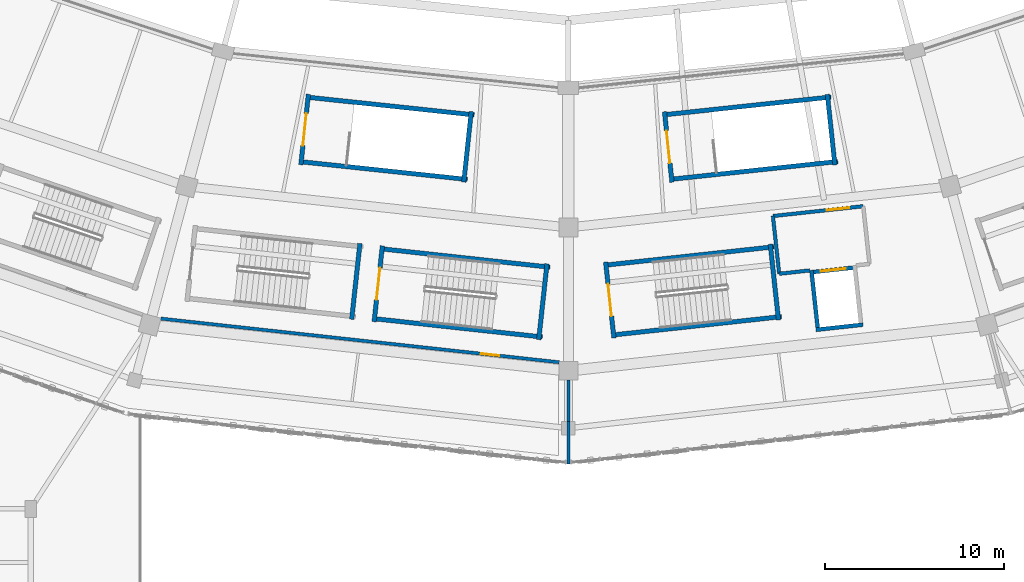
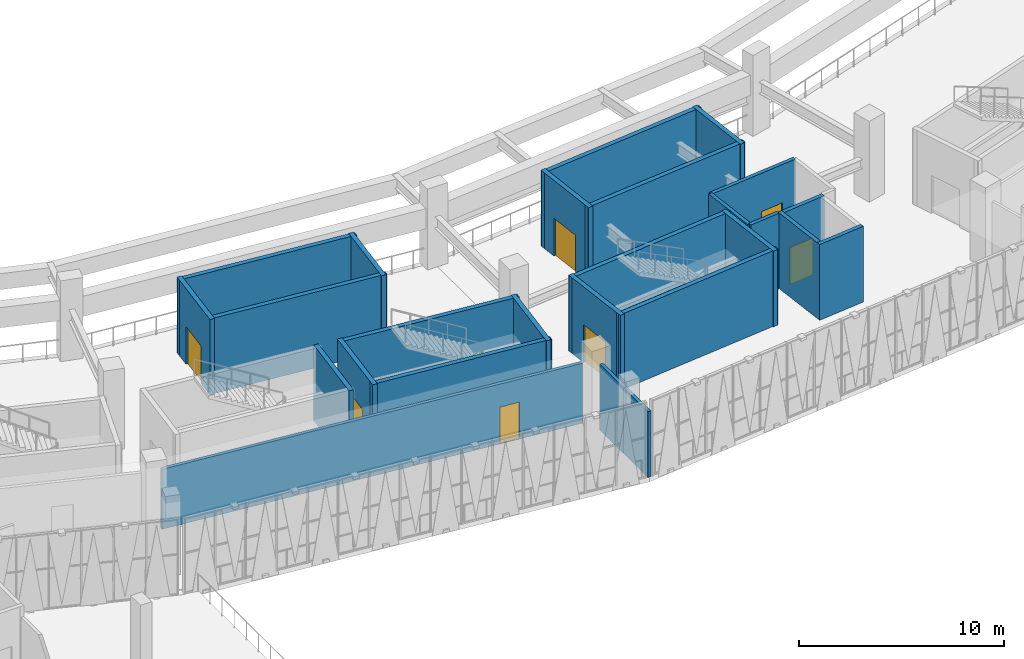
# One storey, part 99 of 179: 26 walls, 7 doors, 7 openings.
"""IFC4 building model written with IfcOpenShell, lengths in metres."""

import ifcopenshell
import ifcopenshell.guid

model = None  # the IFC model being written
_history = None  # IfcOwnerHistory: only IFC2X3 demands one
_inside = {}  # id of a spatial element -> (the spatial element, [elements in it])
_under = {}  # id of a project, library or spatial element -> (it, [spatial elements below it])
_declared = {}  # id of a project -> (the project, [libraries it declares])
_typed = {}  # id of a type object -> (the type object, [elements of that type])
_made_of = {}  # id of a material, layer set ... -> (it, [elements and type objects made of it])


def new_model(schema):
    """Start an empty IFC model of exactly this schema.

    Asked for "IFC4X3", IfcOpenShell would pick the latest addendum, in which some entities
    have other attributes; the version numbers below select the first issue.
    IFC2X3 requires an IfcOwnerHistory on every rooted entity: one is made here for all.
    """
    global model, _history
    if schema == "IFC4X3":
        model = ifcopenshell.file(schema_version=(4, 3, 0, 0))
    else:
        model = ifcopenshell.file(schema=schema)
    _inside.clear()
    _under.clear()
    _declared.clear()
    _typed.clear()
    _made_of.clear()
    _history = None
    if model.schema == "IFC2X3":
        org = make("IfcOrganization", Name="unknown")
        user = make(
            "IfcPersonAndOrganization",
            ThePerson=make("IfcPerson", FamilyName="unknown"),
            TheOrganization=org,
        )
        app = make(
            "IfcApplication",
            ApplicationDeveloper=org,
            Version="unknown",
            ApplicationFullName="unknown",
            ApplicationIdentifier="unknown",
        )
        _history = make(
            "IfcOwnerHistory",
            OwningUser=user,
            OwningApplication=app,
            ChangeAction="ADDED",
            CreationDate=0,
        )
    return model


def make(cls, **values):
    """One entity of the class cls with the attributes given. An attribute that is None is left unset."""
    return model.create_entity(
        cls, **{name: value for name, value in values.items() if value is not None}
    )


def rooted(cls, **values):
    """An entity with a GlobalId (a new one), such as an element, a storey or a relation."""
    return make(cls, GlobalId=ifcopenshell.guid.new(), OwnerHistory=_history, **values)


def si_unit(unit_type, name, prefix=None):
    """IfcSIUnit, for example si_unit("LENGTHUNIT", "METRE", prefix="MILLI")."""
    return make("IfcSIUnit", UnitType=unit_type, Prefix=prefix, Name=name)


def assignment(units):
    """IfcUnitAssignment: the units of a project."""
    return None if units is None else make("IfcUnitAssignment", Units=units)


def point(xyz):
    """IfcCartesianPoint."""
    return None if xyz is None else make("IfcCartesianPoint", Coordinates=xyz)


def direction(xyz):
    """IfcDirection."""
    return None if xyz is None else make("IfcDirection", DirectionRatios=xyz)


def frame(location, z_axis=None, x_axis=None):
    """IfcAxis2Placement3D, a coordinate frame: its origin and axes. An axis left out is left unset."""
    return make(
        "IfcAxis2Placement3D",
        Location=point(location),
        Axis=direction(z_axis),
        RefDirection=direction(x_axis),
    )


def frame_2d(location, x_axis=None):
    """IfcAxis2Placement2D, a coordinate frame in the plane: its origin and x axis."""
    return make(
        "IfcAxis2Placement2D", Location=point(location), RefDirection=direction(x_axis)
    )


def origin():
    """The frame at (0, 0, 0) with its axes left unset."""
    return frame((0.0, 0.0, 0.0))


def place(relative_to, where):
    """IfcLocalPlacement: puts the frame where relative to a parent placement (None: the world)."""
    return make(
        "IfcLocalPlacement", PlacementRelTo=relative_to, RelativePlacement=where
    )


def context(
    kind, dimensions, precision=None, world=None, true_north=None, identifier=None
):
    """IfcGeometricRepresentationContext, for example the 3D "Model" context."""
    return make(
        "IfcGeometricRepresentationContext",
        ContextIdentifier=identifier,
        ContextType=kind,
        CoordinateSpaceDimension=dimensions,
        Precision=precision,
        WorldCoordinateSystem=world,
        TrueNorth=true_north,
    )


def subcontext(parent, identifier, kind, view, scale=None):
    """IfcGeometricRepresentationSubContext, for example "Body" below "Model"."""
    return make(
        "IfcGeometricRepresentationSubContext",
        ContextIdentifier=identifier,
        ContextType=kind,
        ParentContext=parent,
        TargetScale=scale,
        TargetView=view,
    )


def project(units=None, contexts=None):
    """IfcProject with its units and contexts."""
    return rooted(
        "IfcProject",
        Name="project",
        RepresentationContexts=contexts,
        UnitsInContext=assignment(units),
    )


def spatial(cls, under=None, at=None, **own):
    """A site, building, storey or space (cls), placed at a placement, below another one or the project."""
    s = rooted(cls, ObjectPlacement=at, **own)
    if under is not None:
        _under.setdefault(under.id(), (under, []))[1].append(s)
    return s


def profile(cls, at=None, kind="AREA", **sizes):
    """A parametric profile (cls). Its sizes go by their IFC names, for example OverallWidth=200.0."""
    return make(cls, ProfileType=kind, Position=at, **sizes)


def rectangle(**sizes):
    """IfcRectangleProfileDef."""
    return profile("IfcRectangleProfileDef", **sizes)


def extrude(swept, where, along, depth):
    """IfcExtrudedAreaSolid: the profile swept, set in the frame where, extruded along a direction by depth."""
    return make(
        "IfcExtrudedAreaSolid",
        SweptArea=swept,
        Position=where,
        ExtrudedDirection=direction(along),
        Depth=depth,
    )


def shape(context_of_items, identifier, shape_type, items):
    """IfcShapeRepresentation: the items that make up one representation, for example the "Body"."""
    return make(
        "IfcShapeRepresentation",
        ContextOfItems=context_of_items,
        RepresentationIdentifier=identifier,
        RepresentationType=shape_type,
        Items=items,
    )


def material(Name=None, Category=None):
    """IfcMaterial."""
    return make("IfcMaterial", Name=Name, Category=Category)


def layer(
    of_material, thickness, ventilated=None, Name=None, Category=None, Priority=None
):
    """IfcMaterialLayer: one layer of a wall or slab, of a material (None: an air gap)."""
    return make(
        "IfcMaterialLayer",
        Material=of_material,
        LayerThickness=thickness,
        IsVentilated=ventilated,
        Name=Name,
        Category=Category,
        Priority=Priority,
    )


def layer_set(layers, Name=None):
    """IfcMaterialLayerSet."""
    return make("IfcMaterialLayerSet", MaterialLayers=layers, LayerSetName=Name)


def made_of(thing, what):
    """Note that an element or type object is made of a material, layer set ...; save() writes the relation."""
    if what is not None:
        _made_of.setdefault(what.id(), (what, []))[1].append(thing)
    return thing


def type_object(cls, material=None, **own):
    """A type object (cls), such as IfcWallType, which elements share."""
    return made_of(rooted(cls, **own), material)


def element(
    cls,
    number,
    at=None,
    inside=None,
    cuts=None,
    type_object=None,
    material=None,
    context=None,
    identifier="Body",
    shape_type=None,
    held_by="IfcProductDefinitionShape",
    body=None,
    shapes=None,
    **own,
):
    """One element of the class cls, such as IfcWall. Its Tag is "e" and its number.

    at: its placement. inside: the storey or other place that contains it. cuts: it is an
    opening in that element (IfcRelVoidsElement). A single representation is given by context,
    identifier, shape_type and body (its items); several are given by shapes. held_by: the class
    of the entity that holds the representations. save() writes the other relations.
    """
    e = rooted(cls, Tag="e%d" % number, ObjectPlacement=at, **own)
    if body is not None:
        shapes = [shape(context, identifier, shape_type, body)]
    if shapes is not None:
        e.Representation = make(held_by, Representations=shapes)
    if inside is not None:
        _inside.setdefault(inside.id(), (inside, []))[1].append(e)
    if cuts is not None:
        rooted(
            "IfcRelVoidsElement", RelatingBuildingElement=cuts, RelatedOpeningElement=e
        )
    if type_object is not None:
        _typed.setdefault(type_object.id(), (type_object, []))[1].append(e)
    return made_of(e, material)


def fill(opening, filler):
    """IfcRelFillsElement: the door or window that sits in an opening."""
    return rooted(
        "IfcRelFillsElement",
        RelatingOpeningElement=opening,
        RelatedBuildingElement=filler,
    )


def aggregate(whole, parts):
    """IfcRelAggregates: a whole, such as a stair, and the parts it consists of."""
    return rooted("IfcRelAggregates", RelatingObject=whole, RelatedObjects=parts)


def save(model, path):
    """Write the relations noted so far, then the file.

    IfcRelAggregates (storeys below a building ...), IfcRelContainedInSpatialStructure (elements
    in a storey), IfcRelDefinesByType, IfcRelAssociatesMaterial and IfcRelDeclares: one each for
    every whole, place, type object, material and project.
    """
    for whole, parts in _under.values():
        aggregate(whole, parts)
    for where, things in _inside.values():
        rooted(
            "IfcRelContainedInSpatialStructure",
            RelatedElements=things,
            RelatingStructure=where,
        )
    for kind, things in _typed.values():
        rooted("IfcRelDefinesByType", RelatedObjects=things, RelatingType=kind)
    for what, things in _made_of.values():
        rooted("IfcRelAssociatesMaterial", RelatedObjects=things, RelatingMaterial=what)
    for by, libraries in _declared.values():
        rooted("IfcRelDeclares", RelatingContext=by, RelatedDefinitions=libraries)
    model.write(path)


model = new_model("IFC4")

# Units and contexts
model_context = context("Model", 3, precision=1e-05, world=origin(), true_north=direction((0.0, 1.0)))
body_context = subcontext(model_context, "Body", "Model", "MODEL_VIEW")
ifc_project = project(units=[si_unit("LENGTHUNIT", "METRE"), si_unit("AREAUNIT", "SQUARE_METRE"), si_unit("VOLUMEUNIT", "CUBIC_METRE"), si_unit("PLANEANGLEUNIT", "RADIAN"), si_unit("MASSUNIT", "GRAM", prefix="KILO")], contexts=[model_context])

# Site, building, storey
site_placement = place(None, origin())
site = spatial("IfcSite", under=ifc_project, at=site_placement, CompositionType="ELEMENT")
building_placement = place(site_placement, origin())
building = spatial("IfcBuilding", under=site, at=building_placement, Name="Zevraka Park Crest Stadium", CompositionType="ELEMENT")
storey_placement = place(building_placement, frame((0.0, 0.0, 10.199951171875)))
storey = spatial("IfcBuildingStorey", under=building, at=storey_placement, Name="L02", CompositionType="ELEMENT", Elevation=10.199951171875)

# Walls
ifc_material_1 = material(Name="Autoclaved aerated masonry blockwork", Category="masonry")
ifc_layer_1 = layer(ifc_material_1, 0.199951171875)
ifc_layer_set_1 = layer_set([ifc_layer_1], Name="Autoclaved aerated masonry blockwork")
wall_type_1 = type_object("IfcWallType", Name="IW01", PredefinedType="PARTITIONING", material=ifc_layer_set_1)
wall_1_placement = place(storey_placement, frame((125.47509765625, 22.302001953125, 0.0), z_axis=(0.0, 0.0, 1.0), x_axis=(-0.994135511072, -0.108141507414, 0.0)))
element("IfcWall", 1, at=wall_1_placement, inside=storey, type_object=wall_type_1, Name="Firefighting Lift Lobby Wall IW01 FL04 L02 BACKR", PredefinedType="PARTITIONING", context=body_context, shape_type="SweptSolid", body=[
    extrude(rectangle(XDim=1.72021484375, YDim=0.199951171875, at=frame_2d((0.860107421875, 0.0))), origin(), (0.0, 0.0, 1.0), 4.47998046875),
])
wall_2_placement = place(storey_placement, frame((123.764892578125, 22.115966796875, 0.0), z_axis=(0.0, 0.0, 1.0), x_axis=(-0.108280975823, 0.994120329877, 0.0)))
element("IfcWall", 2, at=wall_2_placement, inside=storey, type_object=wall_type_1, Name="Firefighting Lift Lobby Wall IW01 FL04 L02 RIGHT", PredefinedType="PARTITIONING", context=body_context, shape_type="SweptSolid", body=[
    extrude(rectangle(XDim=3.239990234375, YDim=0.199951171875, at=frame_2d((1.6201171875, 0.0))), origin(), (0.0, 0.0, 1.0), 4.47998046875),
])

# Wall, opening, door
wall_3_placement = place(storey_placement, frame((128.4541015625, 25.885986328125, 0.0), z_axis=(0.0, 0.0, 1.0), x_axis=(-0.994118117986, -0.108301281116, 0.0)))
wall_3 = element("IfcWall", 3, at=wall_3_placement, inside=storey, type_object=wall_type_1, Name="Firefighting Lift Lobby Wall IW01 FL04 L02 FRONT", PredefinedType="PARTITIONING", context=body_context, shape_type="SweptSolid", body=[
    extrude(rectangle(XDim=5.06982421875, YDim=0.199951171875, at=frame_2d((2.534912109375, 0.0))), origin(), (0.0, 0.0, 1.0), 4.47998046875),
])
opening_1_placement = place(wall_3_placement, frame((0.794921875, 0.0, 0.0)))
opening_1 = element("IfcOpeningElement", 4, at=opening_1_placement, cuts=wall_3, Name="Opening D-L02-321", PredefinedType="OPENING", context=body_context, shape_type="SweptSolid", body=[
    extrude(rectangle(XDim=1.25, YDim=2.199951171875, at=frame_2d((0.625, 1.10009765625))), frame((0.0, 0.10986328125, 0.0), z_axis=(0.0, -1.0, 0.0), x_axis=(1.0, 0.0, 0.0)), (0.0, 0.0, 1.0), 0.219970703125),
])
ifc_material_2 = material(Name="Solid-core hardwood timber leaf in steel frame", Category="steel")
door_type_1 = type_object("IfcDoorType", Name="DR07", OperationType="NOTDEFINED", PredefinedType="DOOR", material=ifc_material_2)
door_1_placement = place(opening_1_placement, origin())
door_1 = element("IfcDoor", 5, at=door_1_placement, inside=storey, type_object=door_type_1, Name="Firefighting Lift Lobby FL04 Door D-L02-321", OperationType="SINGLE_SWING_LEFT", OverallHeight=2.199951171875, OverallWidth=1.25, PredefinedType="DOOR", context=body_context, shape_type="SweptSolid", body=[
    extrude(rectangle(XDim=1.25, YDim=2.199951171875, at=frame_2d((0.625, 1.10009765625))), frame((0.0, 0.02490234375, 0.0), z_axis=(0.0, -1.0, 0.0), x_axis=(1.0, 0.0, 0.0)), (0.0, 0.0, 1.0), 0.050048828125),
])
fill(opening_1, door_1)

ifc_material_3 = material(Name="Fire-rated twin-stud acoustic drywall", Category="other")
ifc_layer_2 = layer(ifc_material_3, 0.179931640625)
ifc_layer_set_2 = layer_set([ifc_layer_2], Name="Fire-rated twin-stud acoustic drywall")
wall_type_2 = type_object("IfcWallType", Name="IW06", PredefinedType="PARTITIONING", material=ifc_layer_set_2)
wall_4_placement = place(storey_placement, frame((89.25, 19.614990234375, 0.0), z_axis=(0.0, 0.0, 1.0), x_axis=(0.994040414926, -0.109012171306, 0.0)))
wall_4 = element("IfcWall", 6, at=wall_4_placement, inside=storey, type_object=wall_type_2, Name="Interior Partition IW06 West Club Members Lounge L02", PredefinedType="PARTITIONING", context=body_context, shape_type="SweptSolid", body=[
    extrude(rectangle(XDim=22.373291015625, YDim=0.179931640625, at=frame_2d((11.1865234375, 0.0))), origin(), (0.0, 0.0, 1.0), 3.56494140625),
])
opening_2_placement = place(wall_4_placement, frame((17.98193359375, 0.0, 0.0)))
opening_2 = element("IfcOpeningElement", 7, at=opening_2_placement, cuts=wall_4, Name="Opening D-L02-412", PredefinedType="OPENING", context=body_context, shape_type="SweptSolid", body=[
    extrude(rectangle(XDim=1.02001953125, YDim=2.199951171875, at=frame_2d((0.510009765625, 1.10009765625))), frame((0.0, 0.099853515625, 0.0), z_axis=(0.0, -1.0, 0.0), x_axis=(1.0, 0.0, 0.0)), (0.0, 0.0, 1.0), 0.199951171875),
])
ifc_material_4 = material(Name="Solid-core hardwood timber leaf in steel frame", Category="steel")
door_type_2 = type_object("IfcDoorType", Name="DR21", OperationType="NOTDEFINED", PredefinedType="DOOR", material=ifc_material_4)
door_2_placement = place(opening_2_placement, origin())
door_2 = element("IfcDoor", 8, at=door_2_placement, inside=storey, type_object=door_type_2, Name="West Club Members Lounge Door D-L02-412", OperationType="SINGLE_SWING_RIGHT", OverallHeight=2.199951171875, OverallWidth=1.02001953125, PredefinedType="DOOR", context=body_context, shape_type="SweptSolid", body=[
    extrude(rectangle(XDim=1.02001953125, YDim=2.199951171875, at=frame_2d((0.510009765625, 1.10009765625))), frame((0.0, 0.02490234375, 0.0), z_axis=(0.0, -1.0, 0.0), x_axis=(1.0, 0.0, 0.0)), (0.0, 0.0, 1.0), 0.050048828125),
])
fill(opening_2, door_2)

# Walls
wall_5_placement = place(storey_placement, frame((112.0, 16.18994140625, 0.0), z_axis=(0.0, 0.0, 1.0), x_axis=(0.0, -1.0, 0.0)))
element("IfcWall", 9, at=wall_5_placement, inside=storey, type_object=wall_type_2, Name="Interior Partition IW06 West Club Members Lounge L02", PredefinedType="PARTITIONING", context=body_context, shape_type="SweptSolid", body=[
    extrude(rectangle(XDim=2.329833984375, YDim=0.179931640625, at=frame_2d((1.1650390625, 0.0))), origin(), (0.0, 0.0, 1.0), 3.9150390625),
])
wall_6_placement = place(storey_placement, frame((112.0, 13.875, 0.0), z_axis=(0.0, 0.0, 1.0), x_axis=(0.0, -1.0, 0.0)))
element("IfcWall", 10, at=wall_6_placement, inside=storey, type_object=wall_type_2, Name="Interior Partition IW06 West Club Members Lounge L02", PredefinedType="PARTITIONING", context=body_context, shape_type="SweptSolid", body=[
    extrude(rectangle(XDim=2.375, YDim=0.179931640625, at=frame_2d((1.1875, 0.0))), origin(), (0.0, 0.0, 1.0), 3.9150390625),
])
ifc_material_5 = material(Name="Concrete C40/50", Category="concrete")
ifc_layer_3 = layer(ifc_material_5, 0.25)
ifc_layer_set_3 = layer_set([ifc_layer_3], Name="Concrete C40/50")
wall_type_3 = type_object("IfcWallType", Name="SW01", PredefinedType="SHEAR", material=ifc_layer_set_3)
wall_7_placement = place(storey_placement, frame((99.906494140625, 19.573974609375, 0.0), z_axis=(0.0, 0.0, 1.0), x_axis=(0.108198315262, 0.994129329903, 0.0)))
element("IfcWall", 11, at=wall_7_placement, inside=storey, type_object=wall_type_3, Name="Stair Core Shear Wall SW01 ST18 L02 far", PredefinedType="SHEAR", context=body_context, shape_type="SweptSolid", body=[
    extrude(rectangle(XDim=4.260009765625, YDim=0.25, at=frame_2d((2.1298828125, 0.0))), origin(), (0.0, 0.0, 1.0), 4.5),
])
for number, where, z_axis, x_axis, name in (
    (12, (114.397216796875, 18.689453125, 0.0), (0.0, 0.0, 1.0), (0.994127555169, 0.108214620337, 0.0), "Stair Core Shear Wall SW01 ST19 L02 left"),
    (13, (123.466796875, 23.619873046875, 0.0), (0.0, 0.0, 1.0), (-0.994127555169, -0.108214620337, 0.0), "Stair Core Shear Wall SW01 ST19 L02 right"),
):
    element("IfcWall", number, at=place(storey_placement, frame(where, z_axis=z_axis, x_axis=x_axis)), inside=storey, type_object=wall_type_3, Name=name, PredefinedType="SHEAR", context=body_context, shape_type="SweptSolid", body=[
        extrude(rectangle(XDim=9.550048828125, YDim=0.25, at=frame_2d((4.77490234375, 0.0))), origin(), (0.0, 0.0, 1.0), 4.5),
    ])

# Wall, opening, door
wall_8_placement = place(storey_placement, frame((114.078857421875, 22.76904296875, 0.0), z_axis=(0.0, 0.0, 1.0), x_axis=(0.108198315262, -0.994129329903, 0.0)))
wall_8 = element("IfcWall", 14, at=wall_8_placement, inside=storey, type_object=wall_type_3, Name="Stair Core Shear Wall SW01 ST19 L02 near", PredefinedType="SHEAR", context=body_context, shape_type="SweptSolid", body=[
    extrude(rectangle(XDim=4.260009765625, YDim=0.25, at=frame_2d((2.1298828125, 0.0))), origin(), (0.0, 0.0, 1.0), 4.5),
])
opening_3_placement = place(wall_8_placement, frame((1.22998046875, 0.0, 0.0)))
opening_3 = element("IfcOpeningElement", 15, at=opening_3_placement, cuts=wall_8, Name="Opening D-L02-112", PredefinedType="OPENING", context=body_context, shape_type="SweptSolid", body=[
    extrude(rectangle(XDim=1.800048828125, YDim=2.25, at=frame_2d((0.89990234375, 1.125))), frame((0.0, 0.135009765625, 0.0), z_axis=(0.0, -1.0, 0.0), x_axis=(1.0, 0.0, 0.0)), (0.0, 0.0, 1.0), 0.27001953125),
])
ifc_material_6 = material(Name="Solid-core hardwood timber leaf in steel frame", Category="steel")
door_type_3 = type_object("IfcDoorType", Name="DR04", OperationType="NOTDEFINED", PredefinedType="DOOR", material=ifc_material_6)
door_3_placement = place(opening_3_placement, origin())
door_3 = element("IfcDoor", 16, at=door_3_placement, inside=storey, type_object=door_type_3, Name="Protected Stair Entry Door ST19 L02", OperationType="DOUBLE_DOOR_SINGLE_SWING", OverallHeight=2.25, OverallWidth=1.800048828125, PredefinedType="DOOR", context=body_context, shape_type="SweptSolid", body=[
    extrude(rectangle(XDim=1.800048828125, YDim=2.25, at=frame_2d((0.89990234375, 1.125))), frame((0.0, 0.02490234375, 0.0), z_axis=(0.0, -1.0, 0.0), x_axis=(1.0, 0.0, 0.0)), (0.0, 0.0, 1.0), 0.050048828125),
])
fill(opening_3, door_3)

# Walls
wall_9_placement = place(storey_placement, frame((123.7255859375, 19.533935546875, 0.0), z_axis=(0.0, 0.0, 1.0), x_axis=(-0.108204479885, 0.994128658944, 0.0)))
element("IfcWall", 17, at=wall_9_placement, inside=storey, type_object=wall_type_3, Name="Stair Core Shear Wall SW01 ST19 L02 far", PredefinedType="SHEAR", context=body_context, shape_type="SweptSolid", body=[
    extrude(rectangle(XDim=4.259765625, YDim=0.25, at=frame_2d((2.1298828125, 0.0))), origin(), (0.0, 0.0, 1.0), 4.5),
])
for number, where, z_axis, x_axis, name in (
    (18, (101.052734375, 19.62060546875, 0.0), (0.0, 0.0, 1.0), (0.994127555169, -0.108214620337, 0.0), "Stair Core Shear Wall SW01 ST30 L02 left"),
    (19, (110.970947265625, 22.484130859375, 0.0), (0.0, 0.0, 1.0), (-0.994127555169, 0.108214620337, 0.0), "Stair Core Shear Wall SW01 ST30 L02 right"),
):
    element("IfcWall", number, at=place(storey_placement, frame(where, z_axis=z_axis, x_axis=x_axis)), inside=storey, type_object=wall_type_3, Name=name, PredefinedType="SHEAR", context=body_context, shape_type="SweptSolid", body=[
        extrude(rectangle(XDim=9.550048828125, YDim=0.25, at=frame_2d((4.77490234375, 0.0))), origin(), (0.0, 0.0, 1.0), 4.5),
    ])

# Wall, opening, door
wall_10_placement = place(storey_placement, frame((101.61962890625, 23.673095703125, 0.0), z_axis=(0.0, 0.0, 1.0), x_axis=(-0.108198315262, -0.994129329903, 0.0)))
wall_10 = element("IfcWall", 20, at=wall_10_placement, inside=storey, type_object=wall_type_3, Name="Stair Core Shear Wall SW01 ST30 L02 near", PredefinedType="SHEAR", context=body_context, shape_type="SweptSolid", body=[
    extrude(rectangle(XDim=4.260009765625, YDim=0.25, at=frame_2d((2.1298828125, 0.0))), origin(), (0.0, 0.0, 1.0), 4.5),
])
opening_4_placement = place(wall_10_placement, frame((1.22998046875, 0.0, 0.0)))
opening_4 = element("IfcOpeningElement", 21, at=opening_4_placement, cuts=wall_10, Name="Opening D-L02-173", PredefinedType="OPENING", context=body_context, shape_type="SweptSolid", body=[
    extrude(rectangle(XDim=1.800048828125, YDim=2.25, at=frame_2d((0.89990234375, 1.125))), frame((0.0, 0.135009765625, 0.0), z_axis=(0.0, -1.0, 0.0), x_axis=(1.0, 0.0, 0.0)), (0.0, 0.0, 1.0), 0.27001953125),
])
door_4_placement = place(opening_4_placement, origin())
door_4 = element("IfcDoor", 22, at=door_4_placement, inside=storey, type_object=door_type_3, Name="Protected Stair Entry Door ST30 L02", OperationType="DOUBLE_DOOR_SINGLE_SWING", OverallHeight=2.25, OverallWidth=1.800048828125, PredefinedType="DOOR", context=body_context, shape_type="SweptSolid", body=[
    extrude(rectangle(XDim=1.800048828125, YDim=2.25, at=frame_2d((0.89990234375, 1.125))), frame((0.0, 0.02490234375, 0.0), z_axis=(0.0, -1.0, 0.0), x_axis=(1.0, 0.0, 0.0)), (0.0, 0.0, 1.0), 0.050048828125),
])
fill(opening_4, door_4)

# Walls
wall_11_placement = place(storey_placement, frame((110.344482421875, 18.43798828125, 0.0), z_axis=(0.0, 0.0, 1.0), x_axis=(0.108198315262, 0.994129329903, 0.0)))
element("IfcWall", 23, at=wall_11_placement, inside=storey, type_object=wall_type_3, Name="Stair Core Shear Wall SW01 ST30 L02 far", PredefinedType="SHEAR", context=body_context, shape_type="SweptSolid", body=[
    extrude(rectangle(XDim=4.260009765625, YDim=0.25, at=frame_2d((2.1298828125, 0.0))), origin(), (0.0, 0.0, 1.0), 4.5),
])
for number, where, z_axis, x_axis, name in (
    (24, (96.9638671875, 28.3798828125, 0.0), (0.0, 0.0, 1.0), (0.994382608826, -0.105845298736, 0.0), "Stair Core Shear Wall SW01 ST41 L02 left"),
    (25, (106.744140625, 30.979248046875, 0.0), (0.0, 0.0, 1.0), (-0.994382608826, 0.105845298736, 0.0), "Stair Core Shear Wall SW01 ST41 L02 right"),
):
    element("IfcWall", number, at=place(storey_placement, frame(where, z_axis=z_axis, x_axis=x_axis)), inside=storey, type_object=wall_type_3, Name=name, PredefinedType="SHEAR", context=body_context, shape_type="SweptSolid", body=[
        extrude(rectangle(XDim=9.449951171875, YDim=0.25, at=frame_2d((4.72509765625, 0.0))), origin(), (0.0, 0.0, 1.0), 4.5),
    ])

# Wall, opening, door
wall_12_placement = place(storey_placement, frame((97.489501953125, 32.135498046875, 0.0), z_axis=(0.0, 0.0, 1.0), x_axis=(-0.105856095603, -0.994381459513, 0.0)))
wall_12 = element("IfcWall", 26, at=wall_12_placement, inside=storey, type_object=wall_type_3, Name="Stair Core Shear Wall SW01 ST41 L02 near", PredefinedType="SHEAR", context=body_context, shape_type="SweptSolid", body=[
    extrude(rectangle(XDim=3.9599609375, YDim=0.25, at=frame_2d((1.97998046875, 0.0))), origin(), (0.0, 0.0, 1.0), 4.5),
])
opening_5_placement = place(wall_12_placement, frame((1.080078125, 0.0, 0.0)))
opening_5 = element("IfcOpeningElement", 27, at=opening_5_placement, cuts=wall_12, Name="Opening D-L02-220", PredefinedType="OPENING", context=body_context, shape_type="SweptSolid", body=[
    extrude(rectangle(XDim=1.800048828125, YDim=2.25, at=frame_2d((0.89990234375, 1.125))), frame((0.0, 0.135009765625, 0.0), z_axis=(0.0, -1.0, 0.0), x_axis=(1.0, 0.0, 0.0)), (0.0, 0.0, 1.0), 0.27001953125),
])
door_5_placement = place(opening_5_placement, origin())
door_5 = element("IfcDoor", 28, at=door_5_placement, inside=storey, type_object=door_type_3, Name="Protected Stair Entry Door ST41 L02", OperationType="DOUBLE_DOOR_SINGLE_SWING", OverallHeight=2.25, OverallWidth=1.800048828125, PredefinedType="DOOR", context=body_context, shape_type="SweptSolid", body=[
    extrude(rectangle(XDim=1.800048828125, YDim=2.25, at=frame_2d((0.89990234375, 1.125))), frame((0.0, 0.02490234375, 0.0), z_axis=(0.0, -1.0, 0.0), x_axis=(1.0, 0.0, 0.0)), (0.0, 0.0, 1.0), 0.050048828125),
])
fill(opening_5, door_5)

# Walls
wall_13_placement = place(storey_placement, frame((106.158935546875, 27.230224609375, 0.0), z_axis=(0.0, 0.0, 1.0), x_axis=(0.105856095603, 0.994381459513, 0.0)))
element("IfcWall", 29, at=wall_13_placement, inside=storey, type_object=wall_type_3, Name="Stair Core Shear Wall SW01 ST41 L02 far", PredefinedType="SHEAR", context=body_context, shape_type="SweptSolid", body=[
    extrude(rectangle(XDim=3.9599609375, YDim=0.25, at=frame_2d((1.97998046875, 0.0))), origin(), (0.0, 0.0, 1.0), 4.5),
])
wall_14_placement = place(storey_placement, frame((117.638916015625, 27.3798828125, 0.0), z_axis=(0.0, 0.0, 1.0), x_axis=(0.994379889371, 0.105870844028, 0.0)))
element("IfcWall", 30, at=wall_14_placement, inside=storey, type_object=wall_type_3, Name="Stair Core Shear Wall SW01 ST42 L02 left", PredefinedType="SHEAR", context=body_context, shape_type="SweptSolid", body=[
    extrude(rectangle(XDim=9.4501953125, YDim=0.25, at=frame_2d((4.72509765625, 0.0))), origin(), (0.0, 0.0, 1.0), 4.5),
])
wall_15_placement = place(storey_placement, frame((126.652587890625, 31.97998046875, 0.0), z_axis=(0.0, 0.0, 1.0), x_axis=(-0.994382608826, -0.105845298736, 0.0)))
element("IfcWall", 31, at=wall_15_placement, inside=storey, type_object=wall_type_3, Name="Stair Core Shear Wall SW01 ST42 L02 right", PredefinedType="SHEAR", context=body_context, shape_type="SweptSolid", body=[
    extrude(rectangle(XDim=9.449951171875, YDim=0.25, at=frame_2d((4.72509765625, 0.0))), origin(), (0.0, 0.0, 1.0), 4.5),
])

# Wall, opening, door
wall_16_placement = place(storey_placement, frame((117.362060546875, 31.161865234375, 0.0), z_axis=(0.0, 0.0, 1.0), x_axis=(0.105856095603, -0.994381459513, 0.0)))
wall_16 = element("IfcWall", 32, at=wall_16_placement, inside=storey, type_object=wall_type_3, Name="Stair Core Shear Wall SW01 ST42 L02 near", PredefinedType="SHEAR", context=body_context, shape_type="SweptSolid", body=[
    extrude(rectangle(XDim=3.9599609375, YDim=0.25, at=frame_2d((1.97998046875, 0.0))), origin(), (0.0, 0.0, 1.0), 4.5),
])
opening_6_placement = place(wall_16_placement, frame((1.080078125, 0.0, 0.0)))
opening_6 = element("IfcOpeningElement", 33, at=opening_6_placement, cuts=wall_16, Name="Opening D-L02-224", PredefinedType="OPENING", context=body_context, shape_type="SweptSolid", body=[
    extrude(rectangle(XDim=1.800048828125, YDim=2.25, at=frame_2d((0.89990234375, 1.125))), frame((0.0, 0.135009765625, 0.0), z_axis=(0.0, -1.0, 0.0), x_axis=(1.0, 0.0, 0.0)), (0.0, 0.0, 1.0), 0.27001953125),
])
door_6_placement = place(opening_6_placement, origin())
door_6 = element("IfcDoor", 34, at=door_6_placement, inside=storey, type_object=door_type_3, Name="Protected Stair Entry Door ST42 L02", OperationType="DOUBLE_DOOR_SINGLE_SWING", OverallHeight=2.25, OverallWidth=1.800048828125, PredefinedType="DOOR", context=body_context, shape_type="SweptSolid", body=[
    extrude(rectangle(XDim=1.800048828125, YDim=2.25, at=frame_2d((0.89990234375, 1.125))), frame((0.0, 0.02490234375, 0.0), z_axis=(0.0, -1.0, 0.0), x_axis=(1.0, 0.0, 0.0)), (0.0, 0.0, 1.0), 0.050048828125),
])
fill(opening_6, door_6)

# Walls
wall_17_placement = place(storey_placement, frame((126.869873046875, 28.191650390625, 0.0), z_axis=(0.0, 0.0, 1.0), x_axis=(-0.105856095603, 0.994381459513, 0.0)))
element("IfcWall", 35, at=wall_17_placement, inside=storey, type_object=wall_type_3, Name="Stair Core Shear Wall SW01 ST42 L02 far", PredefinedType="SHEAR", context=body_context, shape_type="SweptSolid", body=[
    extrude(rectangle(XDim=3.9599609375, YDim=0.25, at=frame_2d((1.97998046875, 0.0))), origin(), (0.0, 0.0, 1.0), 4.5),
])
ifc_material_7 = material(Name="Concrete C40/50", Category="concrete")
ifc_layer_4 = layer(ifc_material_7, 0.219970703125)
ifc_layer_set_4 = layer_set([ifc_layer_4], Name="Concrete C40/50")
wall_type_4 = type_object("IfcWallType", Name="SW02", PredefinedType="SHEAR", material=ifc_layer_set_4)
wall_18_placement = place(storey_placement, frame((125.81689453125, 18.989013671875, 0.0), z_axis=(0.0, 0.0, 1.0), x_axis=(0.994077313431, 0.108675180804, 0.0)))
element("IfcWall", 36, at=wall_18_placement, inside=storey, type_object=wall_type_4, Name="Lift Shaft Shear Wall SW02 FL04 L02-1", PredefinedType="SHEAR", context=body_context, shape_type="SweptSolid", body=[
    extrude(rectangle(XDim=2.6396484375, YDim=0.219970703125, at=frame_2d((1.31982421875, 0.0))), origin(), (0.0, 0.0, 1.0), 4.5),
])

# Wall, opening, door
wall_19_placement = place(storey_placement, frame((128.091064453125, 22.47705078125, 0.0), z_axis=(0.0, 0.0, 1.0), x_axis=(-0.994067317545, -0.108766576613, 0.0)))
wall_19 = element("IfcWall", 37, at=wall_19_placement, inside=storey, type_object=wall_type_4, Name="Lift Shaft Shear Wall SW02 FL04 L02-3", PredefinedType="SHEAR", context=body_context, shape_type="SweptSolid", body=[
    extrude(rectangle(XDim=2.6396484375, YDim=0.219970703125, at=frame_2d((1.31982421875, 0.0))), origin(), (0.0, 0.0, 1.0), 4.5),
])
opening_7_placement = place(wall_19_placement, frame((0.6201171875, 0.0, 0.0)))
opening_7 = element("IfcOpeningElement", 38, at=opening_7_placement, cuts=wall_19, Name="Opening LD-FL04-L02", PredefinedType="OPENING", context=body_context, shape_type="SweptSolid", body=[
    extrude(rectangle(XDim=1.39990234375, YDim=2.199951171875, at=frame_2d((0.699951171875, 1.10009765625))), frame((0.0, 0.119873046875, 0.0), z_axis=(0.0, -1.0, 0.0), x_axis=(1.0, 0.0, 0.0)), (0.0, 0.0, 1.0), 0.239990234375),
])
ifc_material_8 = material(Name="Brushed stainless steel lift landing doors", Category="steel")
door_type_4 = type_object("IfcDoorType", Name="LD01", OperationType="NOTDEFINED", PredefinedType="DOOR", material=ifc_material_8)
door_7_placement = place(opening_7_placement, origin())
door_7 = element("IfcDoor", 39, at=door_7_placement, inside=storey, type_object=door_type_4, Name="Lift Sliding Landing Door LD-FL04-L02", OperationType="SLIDING_TO_LEFT", OverallHeight=2.199951171875, OverallWidth=1.39990234375, PredefinedType="DOOR", context=body_context, shape_type="SweptSolid", body=[
    extrude(rectangle(XDim=1.39990234375, YDim=2.199951171875, at=frame_2d((0.699951171875, 1.10009765625))), frame((0.0, 0.02490234375, 0.0), z_axis=(0.0, -1.0, 0.0), x_axis=(1.0, 0.0, 0.0)), (0.0, 0.0, 1.0), 0.050048828125),
])
fill(opening_7, door_7)

# Wall
wall_20_placement = place(storey_placement, frame((125.56396484375, 22.31103515625, 0.0), z_axis=(0.0, 0.0, 1.0), x_axis=(0.108748511736, -0.994069293961, 0.0)))
element("IfcWall", 40, at=wall_20_placement, inside=storey, type_object=wall_type_4, Name="Lift Shaft Shear Wall SW02 FL04 L02-4", PredefinedType="SHEAR", context=body_context, shape_type="SweptSolid", body=[
    extrude(rectangle(XDim=3.439453125, YDim=0.219970703125, at=frame_2d((1.7197265625, 0.0))), origin(), (0.0, 0.0, 1.0), 4.5),
])

save(model, "model.ifc")
